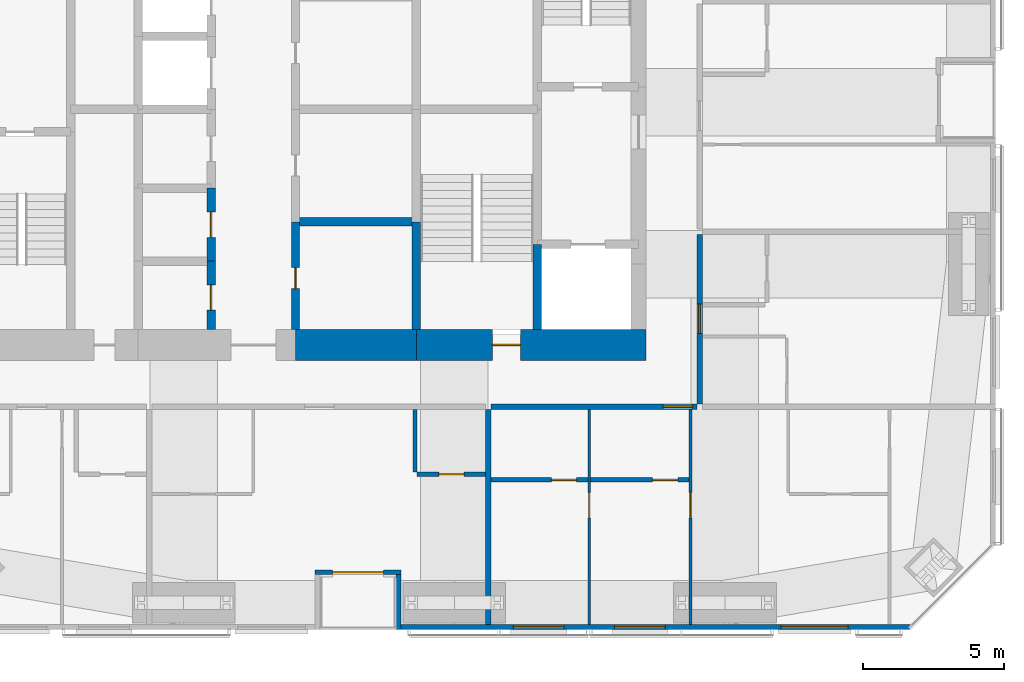
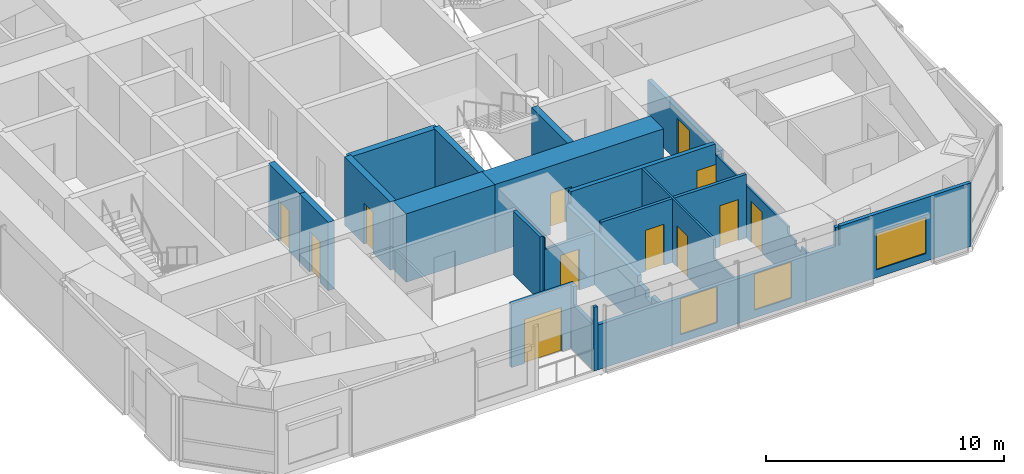
# One storey, part 14 of 19: 20 walls, 12 doors, 3 windows, 15 openings.
"""IFC4 building model written with IfcOpenShell, lengths in metres."""

from ifc_helpers import new_model, si_unit, direction, frame, frame_2d, origin, place, context, subcontext, project, spatial, polyline, rectangle, outline, extrude, material, layer, layer_set, constituent, constituent_set, type_object, element, fill, save


model = new_model("IFC4")

# Units and contexts
model_context = context("Model", 3, precision=1e-05, world=origin(), true_north=direction((0.0, 1.0)))
body_context = subcontext(model_context, "Body", "Model", "MODEL_VIEW")
ifc_project = project(units=[si_unit("LENGTHUNIT", "METRE"), si_unit("AREAUNIT", "SQUARE_METRE"), si_unit("VOLUMEUNIT", "CUBIC_METRE"), si_unit("PLANEANGLEUNIT", "RADIAN"), si_unit("MASSUNIT", "GRAM", prefix="KILO")], contexts=[model_context])

# Site, building, storey
site_placement = place(None, origin())
site = spatial("IfcSite", under=ifc_project, at=site_placement, CompositionType="ELEMENT")
building_placement = place(site_placement, origin())
building = spatial("IfcBuilding", under=site, at=building_placement, Name="Jalousie Tower", CompositionType="ELEMENT")
storey_placement = place(building_placement, frame((0.0, 0.0, 217.949951171875)))
storey = spatial("IfcBuildingStorey", under=building, at=storey_placement, Name="L59", CompositionType="ELEMENT", Elevation=217.949951171875)

# Wall, opening, door
ifc_material_1 = material(Name="Concrete block ASTM C90", Category="concrete")
ifc_constituent_1 = constituent(ifc_material_1, Name="Body")
ifc_material_2 = material(Name="Render")
ifc_constituent_2 = constituent(ifc_material_2, Name="Finish")
ifc_constituent_set_1 = constituent_set(constituents=[ifc_constituent_1, ifc_constituent_2])
wall_type_1 = type_object("IfcWallType", Name="BATHROOM WALL 150", PredefinedType="PLUMBINGWALL", material=ifc_constituent_set_1)
wall_1_placement = place(storey_placement, frame((35.925048828125, 5.52490234375, 0.0), z_axis=(0.0, 0.0, 1.0), x_axis=(1.0, 0.0, 0.0)))
wall_1 = element("IfcWall", 1, at=wall_1_placement, inside=storey, type_object=wall_type_1, Name="Bathroom Wall 150 L59", PredefinedType="PLUMBINGWALL", context=body_context, shape_type="SweptSolid", body=[
    extrude(outline(polyline([(0.0, 0.0), (2.425048828125, 0.0), (2.425048828125, 3.260009765625), (2.425048828125, 2.66015625), (0.0400390625, 2.66015625), (0.0400390625, 3.260009765625), (0.0, 3.260009765625), (0.0, 0.0)])), frame((0.0, 0.074951171875, 0.0), z_axis=(0.0, -1.0, 0.0), x_axis=(1.0, 0.0, 0.0)), (0.0, 0.0, 1.0), 0.14990234375),
])
opening_1_placement = place(wall_1_placement, frame((0.77490234375, 0.0, 0.0)))
opening_1 = element("IfcOpeningElement", 2, at=opening_1_placement, cuts=wall_1, Name="Opening D3", PredefinedType="OPENING", context=body_context, shape_type="SweptSolid", body=[
    extrude(rectangle(XDim=0.89990234375, YDim=2.10009765625, at=frame_2d((0.449951171875, 1.050048828125))), frame((0.0, 0.0849609375, 0.0), z_axis=(0.0, -1.0, 0.0), x_axis=(1.0, 0.0, 0.0)), (0.0, 0.0, 1.0), 0.169921875),
])
ifc_material_3 = material(Name="Timber door", Category="wood")
door_type_1 = type_object("IfcDoorType", Name="BATHROOM DOOR 900", OperationType="SINGLE_SWING_LEFT", PredefinedType="DOOR", material=ifc_material_3)
door_1_placement = place(opening_1_placement, origin())
door_1 = element("IfcDoor", 3, at=door_1_placement, inside=storey, type_object=door_type_1, Name="Apartment 5902 bathroom door", OperationType="SINGLE_SWING_RIGHT", OverallHeight=2.10009765625, OverallWidth=0.89990234375, PredefinedType="DOOR", context=body_context, shape_type="SweptSolid", body=[
    extrude(rectangle(XDim=0.89990234375, YDim=2.10009765625, at=frame_2d((0.449951171875, 1.050048828125))), frame((0.0, 0.02490234375, 0.0), z_axis=(0.0, -1.0, 0.0), x_axis=(1.0, 0.0, 0.0)), (0.0, 0.0, 1.0), 0.050048828125),
])
fill(opening_1, door_1)

# Wall
wall_2_placement = place(storey_placement, frame((35.85009765625, 5.60009765625, 0.0), z_axis=(0.0, 0.0, 1.0), x_axis=(0.0, 1.0, 0.0)))
element("IfcWall", 4, at=wall_2_placement, inside=storey, type_object=wall_type_1, Name="Bathroom Wall 150 L59", PredefinedType="PLUMBINGWALL", context=body_context, shape_type="SweptSolid", body=[
    extrude(rectangle(XDim=2.224853515625, YDim=0.14990234375, at=frame_2d((1.1123046875, 0.0))), origin(), (0.0, 0.0, 1.0), 3.260009765625),
])

# Wall, opening, door
wall_3_placement = place(storey_placement, frame((38.550048828125, 5.324951171875, 0.0), z_axis=(0.0, 0.0, 1.0), x_axis=(1.0, 0.0, 0.0)))
wall_3 = element("IfcWall", 5, at=wall_3_placement, inside=storey, type_object=wall_type_1, Name="Bathroom Wall 150 L59", PredefinedType="PLUMBINGWALL", context=body_context, shape_type="SweptSolid", body=[
    extrude(rectangle(XDim=3.449951171875, YDim=0.14990234375, at=frame_2d((1.72509765625, 0.0))), origin(), (0.0, 0.0, 1.0), 3.260009765625),
])
opening_2_placement = place(wall_3_placement, frame((2.14990234375, 0.0, 0.0)))
opening_2 = element("IfcOpeningElement", 6, at=opening_2_placement, cuts=wall_3, Name="Opening D3", PredefinedType="OPENING", context=body_context, shape_type="SweptSolid", body=[
    extrude(rectangle(XDim=0.89990234375, YDim=2.10009765625, at=frame_2d((0.449951171875, 1.050048828125))), frame((0.0, 0.0849609375, 0.0), z_axis=(0.0, -1.0, 0.0), x_axis=(1.0, 0.0, 0.0)), (0.0, 0.0, 1.0), 0.169921875),
])
door_2_placement = place(opening_2_placement, origin())
door_2 = element("IfcDoor", 7, at=door_2_placement, inside=storey, type_object=door_type_1, Name="Apartment 5903 bedroom 1 bathroom door", OperationType="SINGLE_SWING_RIGHT", OverallHeight=2.10009765625, OverallWidth=0.89990234375, PredefinedType="DOOR", context=body_context, shape_type="SweptSolid", body=[
    extrude(rectangle(XDim=0.89990234375, YDim=2.10009765625, at=frame_2d((0.449951171875, 1.050048828125))), frame((0.0, 0.02490234375, 0.0), z_axis=(0.0, -1.0, 0.0), x_axis=(1.0, 0.0, 0.0)), (0.0, 0.0, 1.0), 0.050048828125),
])
fill(opening_2, door_2)

wall_4_placement = place(storey_placement, frame((42.10009765625, 5.324951171875, 0.0), z_axis=(0.0, 0.0, 1.0), x_axis=(1.0, 0.0, 0.0)))
wall_4 = element("IfcWall", 8, at=wall_4_placement, inside=storey, type_object=wall_type_1, Name="Bathroom Wall 150 L59", PredefinedType="PLUMBINGWALL", context=body_context, shape_type="SweptSolid", body=[
    extrude(outline(polyline([(0.0, 0.0), (3.5, 0.0), (3.5, 3.260009765625), (3.5, 2.66015625), (3.489990234375, 2.66015625), (3.489990234375, 3.260009765625), (0.0, 3.260009765625), (0.0, 0.0)])), frame((0.0, 0.074951171875, 0.0), z_axis=(0.0, -1.0, 0.0), x_axis=(1.0, 0.0, 0.0)), (0.0, 0.0, 1.0), 0.14990234375),
])
opening_3_placement = place(wall_4_placement, frame((2.199951171875, 0.0, 0.0)))
opening_3 = element("IfcOpeningElement", 9, at=opening_3_placement, cuts=wall_4, Name="Opening D3", PredefinedType="OPENING", context=body_context, shape_type="SweptSolid", body=[
    extrude(rectangle(XDim=0.89990234375, YDim=2.10009765625, at=frame_2d((0.449951171875, 1.050048828125))), frame((0.0, 0.0849609375, 0.0), z_axis=(0.0, -1.0, 0.0), x_axis=(1.0, 0.0, 0.0)), (0.0, 0.0, 1.0), 0.169921875),
])
door_3_placement = place(opening_3_placement, origin())
door_3 = element("IfcDoor", 10, at=door_3_placement, inside=storey, type_object=door_type_1, Name="Apartment 5903 bedroom 2 bathroom door", OperationType="SINGLE_SWING_RIGHT", OverallHeight=2.10009765625, OverallWidth=0.89990234375, PredefinedType="DOOR", context=body_context, shape_type="SweptSolid", body=[
    extrude(rectangle(XDim=0.89990234375, YDim=2.10009765625, at=frame_2d((0.449951171875, 1.050048828125))), frame((0.0, 0.02490234375, 0.0), z_axis=(0.0, -1.0, 0.0), x_axis=(1.0, 0.0, 0.0)), (0.0, 0.0, 1.0), 0.050048828125),
])
fill(opening_3, door_3)

# Wall
ifc_material_4 = material(Name="Concrete f'c 120 MPa", Category="concrete")
ifc_layer_1 = layer(ifc_material_4, 1.10009765625)
ifc_layer_set_1 = layer_set([ifc_layer_1], Name="Concrete f'c 120 MPa")
wall_type_2 = type_object("IfcWallType", Name="CORE WALL 1100", PredefinedType="SHEAR", material=ifc_layer_set_1)
wall_5_placement = place(storey_placement, frame((31.60009765625, 10.125, 0.0), z_axis=(0.0, 0.0, 1.0), x_axis=(1.0, 0.0, 0.0)))
element("IfcWall", 11, at=wall_5_placement, inside=storey, type_object=wall_type_2, Name="Core wall SC L59", PredefinedType="SHEAR", context=body_context, shape_type="SweptSolid", body=[
    extrude(rectangle(XDim=4.2998046875, YDim=1.10009765625, at=frame_2d((2.14990234375, 0.0))), origin(), (0.0, 0.0, 1.0), 3.5),
])

# Wall, opening, door
wall_6_placement = place(storey_placement, frame((35.89990234375, 10.125, 0.0), z_axis=(0.0, 0.0, 1.0), x_axis=(1.0, 0.0, 0.0)))
wall_6 = element("IfcWall", 12, at=wall_6_placement, inside=storey, type_object=wall_type_2, Name="Core wall SD L59", PredefinedType="SHEAR", context=body_context, shape_type="SweptSolid", body=[
    extrude(rectangle(XDim=8.175048828125, YDim=1.10009765625, at=frame_2d((4.08740234375, 0.0))), origin(), (0.0, 0.0, 1.0), 3.5),
])
opening_4_placement = place(wall_6_placement, frame((2.699951171875, 0.0, 0.0)))
opening_4 = element("IfcOpeningElement", 13, at=opening_4_placement, cuts=wall_6, Name="Opening D10", PredefinedType="OPENING", context=body_context, shape_type="SweptSolid", body=[
    extrude(rectangle(XDim=1.0, YDim=2.10009765625, at=frame_2d((0.5, 1.050048828125))), frame((0.0, 0.56005859375, 0.0), z_axis=(0.0, -1.0, 0.0), x_axis=(1.0, 0.0, 0.0)), (0.0, 0.0, 1.0), 1.1201171875),
])
ifc_material_5 = material(Name="Steel fire door", Category="steel")
door_type_2 = type_object("IfcDoorType", Name="STAIR DOOR 1000", OperationType="SINGLE_SWING_LEFT", PredefinedType="DOOR", material=ifc_material_5)
door_4_placement = place(opening_4_placement, origin())
door_4 = element("IfcDoor", 14, at=door_4_placement, inside=storey, type_object=door_type_2, Name="Exit stair C door", OperationType="SINGLE_SWING_RIGHT", OverallHeight=2.10009765625, OverallWidth=1.0, PredefinedType="DOOR", context=body_context, shape_type="SweptSolid", body=[
    extrude(rectangle(XDim=1.0, YDim=2.10009765625, at=frame_2d((0.5, 1.050048828125))), frame((0.0, 0.02490234375, 0.0), z_axis=(0.0, -1.0, 0.0), x_axis=(1.0, 0.0, 0.0)), (0.0, 0.0, 1.0), 0.050048828125),
])
fill(opening_4, door_4)

ifc_material_6 = material(Name="Concrete f'c 120 MPa", Category="concrete")
ifc_layer_2 = layer(ifc_material_6, 0.300048828125)
ifc_layer_set_2 = layer_set([ifc_layer_2], Name="Concrete f'c 120 MPa")
wall_type_3 = type_object("IfcWallType", Name="CORE WALL 300", PredefinedType="SHEAR", material=ifc_layer_set_2)
wall_7_placement = place(storey_placement, frame((28.60009765625, 10.675048828125, 0.0), z_axis=(0.0, 0.0, 1.0), x_axis=(0.0, 1.0, 0.0)))
wall_7 = element("IfcWall", 15, at=wall_7_placement, inside=storey, type_object=wall_type_3, Name="Core wall X28.6A L59", PredefinedType="SHEAR", context=body_context, shape_type="SweptSolid", body=[
    extrude(rectangle(XDim=2.425048828125, YDim=0.300048828125, at=frame_2d((1.21240234375, 0.0))), origin(), (0.0, 0.0, 1.0), 3.5),
])
opening_5_placement = place(wall_7_placement, frame((0.6875, 0.0, 0.0)))
opening_5 = element("IfcOpeningElement", 16, at=opening_5_placement, cuts=wall_7, Name="Opening D24", PredefinedType="OPENING", context=body_context, shape_type="SweptSolid", body=[
    extrude(rectangle(XDim=0.89990234375, YDim=2.10009765625, at=frame_2d((0.449951171875, 1.050048828125))), frame((0.0, 0.159912109375, 0.0), z_axis=(0.0, -1.0, 0.0), x_axis=(1.0, 0.0, 0.0)), (0.0, 0.0, 1.0), 0.320068359375),
])
ifc_material_7 = material(Name="Steel fire door", Category="steel")
door_type_3 = type_object("IfcDoorType", Name="CORE ROOM DOOR 900", OperationType="SINGLE_SWING_LEFT", PredefinedType="DOOR", material=ifc_material_7)
door_5_placement = place(opening_5_placement, origin())
door_5 = element("IfcDoor", 17, at=door_5_placement, inside=storey, type_object=door_type_3, Name="Staff WC door", OperationType="SINGLE_SWING_RIGHT", OverallHeight=2.10009765625, OverallWidth=0.89990234375, PredefinedType="DOOR", context=body_context, shape_type="SweptSolid", body=[
    extrude(rectangle(XDim=0.89990234375, YDim=2.10009765625, at=frame_2d((0.449951171875, 1.050048828125))), frame((0.0, 0.02490234375, 0.0), z_axis=(0.0, -1.0, 0.0), x_axis=(1.0, 0.0, 0.0)), (0.0, 0.0, 1.0), 0.050048828125),
])
fill(opening_5, door_5)

wall_8_placement = place(storey_placement, frame((28.60009765625, 13.10009765625, 0.0), z_axis=(0.0, 0.0, 1.0), x_axis=(0.0, 1.0, 0.0)))
wall_8 = element("IfcWall", 18, at=wall_8_placement, inside=storey, type_object=wall_type_3, Name="Core wall X28.6B L59", PredefinedType="SHEAR", context=body_context, shape_type="SweptSolid", body=[
    extrude(rectangle(XDim=2.599853515625, YDim=0.300048828125, at=frame_2d((1.2998046875, 0.0))), origin(), (0.0, 0.0, 1.0), 3.5),
])
opening_6_placement = place(wall_8_placement, frame((0.85009765625, 0.0, 0.0)))
opening_6 = element("IfcOpeningElement", 19, at=opening_6_placement, cuts=wall_8, Name="Opening D24", PredefinedType="OPENING", context=body_context, shape_type="SweptSolid", body=[
    extrude(rectangle(XDim=0.89990234375, YDim=2.10009765625, at=frame_2d((0.449951171875, 1.050048828125))), frame((0.0, 0.159912109375, 0.0), z_axis=(0.0, -1.0, 0.0), x_axis=(1.0, 0.0, 0.0)), (0.0, 0.0, 1.0), 0.320068359375),
])
door_6_placement = place(opening_6_placement, origin())
door_6 = element("IfcDoor", 20, at=door_6_placement, inside=storey, type_object=door_type_3, Name="IT room door", OperationType="SINGLE_SWING_RIGHT", OverallHeight=2.10009765625, OverallWidth=0.89990234375, PredefinedType="DOOR", context=body_context, shape_type="SweptSolid", body=[
    extrude(rectangle(XDim=0.89990234375, YDim=2.10009765625, at=frame_2d((0.449951171875, 1.050048828125))), frame((0.0, 0.02490234375, 0.0), z_axis=(0.0, -1.0, 0.0), x_axis=(1.0, 0.0, 0.0)), (0.0, 0.0, 1.0), 0.050048828125),
])
fill(opening_6, door_6)

wall_9_placement = place(storey_placement, frame((31.60009765625, 10.675048828125, 0.0), z_axis=(0.0, 0.0, 1.0), x_axis=(0.0, 1.0, 0.0)))
wall_9 = element("IfcWall", 21, at=wall_9_placement, inside=storey, type_object=wall_type_3, Name="Core wall X31.6A L59", PredefinedType="SHEAR", context=body_context, shape_type="SweptSolid", body=[
    extrude(rectangle(XDim=3.824951171875, YDim=0.300048828125, at=frame_2d((1.91259765625, 0.0))), origin(), (0.0, 0.0, 1.0), 3.5),
])
opening_7_placement = place(wall_9_placement, frame((1.449951171875, 0.0, 0.0)))
opening_7 = element("IfcOpeningElement", 22, at=opening_7_placement, cuts=wall_9, Name="Opening D16", PredefinedType="OPENING", context=body_context, shape_type="SweptSolid", body=[
    extrude(rectangle(XDim=0.75, YDim=2.10009765625, at=frame_2d((0.375, 1.050048828125))), frame((0.0, 0.159912109375, 0.0), z_axis=(0.0, -1.0, 0.0), x_axis=(1.0, 0.0, 0.0)), (0.0, 0.0, 1.0), 0.320068359375),
])
ifc_material_8 = material(Name="Steel fire door", Category="steel")
door_type_4 = type_object("IfcDoorType", Name="RISER DOOR 750", OperationType="SINGLE_SWING_LEFT", PredefinedType="DOOR", material=ifc_material_8)
door_7_placement = place(opening_7_placement, frame((0.75, 0.0, 0.0), z_axis=(0.0, 0.0, 1.0), x_axis=(-1.0, 0.0, 0.0)))
door_7 = element("IfcDoor", 23, at=door_7_placement, inside=storey, type_object=door_type_4, Name="Refuse Room door", OperationType="SINGLE_SWING_RIGHT", OverallHeight=2.10009765625, OverallWidth=0.75, PredefinedType="DOOR", context=body_context, shape_type="SweptSolid", body=[
    extrude(rectangle(XDim=0.75, YDim=2.10009765625, at=frame_2d((0.375, 1.050048828125))), frame((0.0, 0.02490234375, 0.0), z_axis=(0.0, -1.0, 0.0), x_axis=(1.0, 0.0, 0.0)), (0.0, 0.0, 1.0), 0.050048828125),
])
fill(opening_7, door_7)

# Walls
wall_10_placement = place(storey_placement, frame((35.89990234375, 10.675048828125, 0.0), z_axis=(0.0, 0.0, 1.0), x_axis=(0.0, 1.0, 0.0)))
element("IfcWall", 24, at=wall_10_placement, inside=storey, type_object=wall_type_3, Name="Core wall X35.9A L59", PredefinedType="SHEAR", context=body_context, shape_type="SweptSolid", body=[
    extrude(rectangle(XDim=3.824951171875, YDim=0.300048828125, at=frame_2d((1.91259765625, 0.0))), origin(), (0.0, 0.0, 1.0), 3.5),
])
wall_11_placement = place(storey_placement, frame((40.199951171875, 10.675048828125, 0.0), z_axis=(0.0, 0.0, 1.0), x_axis=(0.0, 1.0, 0.0)))
element("IfcWall", 25, at=wall_11_placement, inside=storey, type_object=wall_type_3, Name="Core wall X40.2A L59", PredefinedType="SHEAR", context=body_context, shape_type="SweptSolid", body=[
    extrude(rectangle(XDim=3.02490234375, YDim=0.300048828125, at=frame_2d((1.512451171875, 0.0))), origin(), (0.0, 0.0, 1.0), 3.5),
])
wall_12_placement = place(storey_placement, frame((31.60009765625, 14.5, 0.0), z_axis=(0.0, 0.0, 1.0), x_axis=(1.0, 0.0, 0.0)))
element("IfcWall", 26, at=wall_12_placement, inside=storey, type_object=wall_type_3, Name="Core wall Y31.6-14.5 L59", PredefinedType="SHEAR", context=body_context, shape_type="SweptSolid", body=[
    extrude(rectangle(XDim=4.2998046875, YDim=0.300048828125, at=frame_2d((2.14990234375, 0.0))), origin(), (0.0, 0.0, 1.0), 3.5),
])

# Wall, opening, door
ifc_material_9 = material(Name="Concrete block ASTM C90", Category="concrete")
ifc_constituent_3 = constituent(ifc_material_9, Name="Body")
ifc_material_10 = material(Name="Render")
ifc_constituent_4 = constituent(ifc_material_10, Name="Finish")
ifc_constituent_set_2 = constituent_set(constituents=[ifc_constituent_3, ifc_constituent_4])
wall_type_4 = type_object("IfcWallType", Name="CORRIDOR WALL 200", PredefinedType="PARTITIONING", material=ifc_constituent_set_2)
wall_13_placement = place(storey_placement, frame((38.550048828125, 7.925048828125, 0.0), z_axis=(0.0, 0.0, 1.0), x_axis=(1.0, 0.0, 0.0)))
wall_13 = element("IfcWall", 27, at=wall_13_placement, inside=storey, type_object=wall_type_4, Name="Corridor Wall 200 L59", PredefinedType="PARTITIONING", context=body_context, shape_type="SweptSolid", body=[
    extrude(outline(polyline([(0.0, 0.0), (7.324951171875, 0.0), (7.324951171875, 3.260009765625), (7.324951171875, 2.66015625), (7.014892578125, 2.66015625), (7.014892578125, 3.260009765625), (0.010009765625, 3.260009765625), (0.010009765625, 2.66015625), (0.0, 2.66015625), (0.0, 3.260009765625), (0.0, 0.0)])), frame((0.0, 0.10009765625, 0.0), z_axis=(0.0, -1.0, 0.0), x_axis=(1.0, 0.0, 0.0)), (0.0, 0.0, 1.0), 0.199951171875),
])
opening_8_placement = place(wall_13_placement, frame((6.125, 0.0, 0.0)))
opening_8 = element("IfcOpeningElement", 28, at=opening_8_placement, cuts=wall_13, Name="Opening D1", PredefinedType="OPENING", context=body_context, shape_type="SweptSolid", body=[
    extrude(rectangle(XDim=1.050048828125, YDim=2.199951171875, at=frame_2d((0.52490234375, 1.10009765625))), frame((0.0, 0.10986328125, 0.0), z_axis=(0.0, -1.0, 0.0), x_axis=(1.0, 0.0, 0.0)), (0.0, 0.0, 1.0), 0.219970703125),
])
ifc_material_11 = material(Name="Timber fire door", Category="wood")
door_type_5 = type_object("IfcDoorType", Name="APARTMENT ENTRANCE DOOR 1050", OperationType="SINGLE_SWING_LEFT", PredefinedType="DOOR", material=ifc_material_11)
door_8_placement = place(opening_8_placement, frame((1.050048828125, 0.0, 0.0), z_axis=(0.0, 0.0, 1.0), x_axis=(-1.0, 0.0, 0.0)))
door_8 = element("IfcDoor", 29, at=door_8_placement, inside=storey, type_object=door_type_5, Name="Apartment 5903 entrance", OperationType="SINGLE_SWING_RIGHT", OverallHeight=2.199951171875, OverallWidth=1.050048828125, PredefinedType="DOOR", context=body_context, shape_type="SweptSolid", body=[
    extrude(rectangle(XDim=1.050048828125, YDim=2.199951171875, at=frame_2d((0.52490234375, 1.10009765625))), frame((0.0, 0.02490234375, 0.0), z_axis=(0.0, -1.0, 0.0), x_axis=(1.0, 0.0, 0.0)), (0.0, 0.0, 1.0), 0.050048828125),
])
fill(opening_8, door_8)

wall_14_placement = place(storey_placement, frame((45.97509765625, 8.02490234375, 0.0), z_axis=(0.0, 0.0, 1.0), x_axis=(0.0, 1.0, 0.0)))
wall_14 = element("IfcWall", 30, at=wall_14_placement, inside=storey, type_object=wall_type_4, Name="Corridor Wall 200 L59", PredefinedType="PARTITIONING", context=body_context, shape_type="SweptSolid", body=[
    extrude(outline(polyline([(0.0, 0.0), (6.025146484375, 0.0), (6.02490234375, 3.260009765625), (6.02490234375, 2.66015625), (5.0849609375, 2.66015625), (0.0, 2.66015625), (0.0, 3.260009765625), (0.0, 0.0)])), frame((0.0, 0.10009765625, 0.0), z_axis=(0.0, -1.0, 0.0), x_axis=(1.0, 0.0, 0.0)), (0.0, 0.0, 1.0), 0.199951171875),
])
opening_9_placement = place(wall_14_placement, frame((2.512451171875, 0.0, 0.0)))
opening_9 = element("IfcOpeningElement", 31, at=opening_9_placement, cuts=wall_14, Name="Opening D1", PredefinedType="OPENING", context=body_context, shape_type="SweptSolid", body=[
    extrude(rectangle(XDim=1.050048828125, YDim=2.199951171875, at=frame_2d((0.52490234375, 1.10009765625))), frame((0.0, 0.10986328125, 0.0), z_axis=(0.0, -1.0, 0.0), x_axis=(1.0, 0.0, 0.0)), (0.0, 0.0, 1.0), 0.219970703125),
])
door_9_placement = place(opening_9_placement, frame((1.050048828125, 0.0, 0.0), z_axis=(0.0, 0.0, 1.0), x_axis=(-1.0, 0.0, 0.0)))
door_9 = element("IfcDoor", 32, at=door_9_placement, inside=storey, type_object=door_type_5, Name="Apartment 5906 entrance", OperationType="SINGLE_SWING_RIGHT", OverallHeight=2.199951171875, OverallWidth=1.050048828125, PredefinedType="DOOR", context=body_context, shape_type="SweptSolid", body=[
    extrude(rectangle(XDim=1.050048828125, YDim=2.199951171875, at=frame_2d((0.52490234375, 1.10009765625))), frame((0.0, 0.02490234375, 0.0), z_axis=(0.0, -1.0, 0.0), x_axis=(1.0, 0.0, 0.0)), (0.0, 0.0, 1.0), 0.050048828125),
])
fill(opening_9, door_9)

# Wall, openings, windows
ifc_material_12 = material(Name="Concrete f'c 40 MPa", Category="concrete")
ifc_constituent_5 = constituent(ifc_material_12, Name="Body")
ifc_material_13 = material(Name="Render, pastel sky blue")
ifc_constituent_6 = constituent(ifc_material_13, Name="Finish")
ifc_constituent_set_3 = constituent_set(constituents=[ifc_constituent_5, ifc_constituent_6])
wall_type_5 = type_object("IfcWallType", Name="EXTERNAL WALL 175 SKY BLUE RENDER", PredefinedType="SOLIDWALL", material=ifc_constituent_set_3)
wall_15_placement = place(storey_placement, frame((35.35009765625, 0.08740234375, 0.0), z_axis=(0.0, 0.0, 1.0), x_axis=(1.0, 0.0, 0.0)))
wall_15 = element("IfcWall", 33, at=wall_15_placement, inside=storey, type_object=wall_type_5, Name="External Wall 175 Sky Blue Render L59", PredefinedType="SOLIDWALL", context=body_context, shape_type="SweptSolid", body=[
    extrude(outline(polyline([(0.0, 0.0), (18.0986328125, 0.0), (18.0986328125, 3.260009765625), (11.73974609375, 3.260009765625), (11.73974609375, 2.300048828125), (11.65625, 2.300048828125), (11.65625, 3.260009765625), (11.52490234375, 3.260009765625), (11.52490234375, 2.300048828125), (0.0, 2.300048828125), (0.0, 0.0)])), frame((0.0, 0.08740234375, 0.0), z_axis=(0.0, -1.0, 0.0), x_axis=(1.0, 0.0, 0.0)), (0.0, 0.0, 1.0), 0.175048828125),
])
opening_10_placement = place(wall_15_placement, frame((4.0, 0.0, 0.39990234375)))
opening_10 = element("IfcOpeningElement", 34, at=opening_10_placement, cuts=wall_15, Name="Opening W-BED185", PredefinedType="OPENING", context=body_context, shape_type="SweptSolid", body=[
    extrude(rectangle(XDim=1.800048828125, YDim=1.85009765625, at=frame_2d((0.89990234375, 0.925048828125))), frame((0.0, 0.097412109375, 0.0), z_axis=(0.0, -1.0, 0.0), x_axis=(1.0, 0.0, 0.0)), (0.0, 0.0, 1.0), 0.195068359375),
])
opening_11_placement = place(wall_15_placement, frame((7.60009765625, 0.0, 0.39990234375)))
opening_11 = element("IfcOpeningElement", 35, at=opening_11_placement, cuts=wall_15, Name="Opening W-BED185", PredefinedType="OPENING", context=body_context, shape_type="SweptSolid", body=[
    extrude(rectangle(XDim=1.800048828125, YDim=1.85009765625, at=frame_2d((0.89990234375, 0.925048828125))), frame((0.0, 0.097412109375, 0.0), z_axis=(0.0, -1.0, 0.0), x_axis=(1.0, 0.0, 0.0)), (0.0, 0.0, 1.0), 0.195068359375),
])
opening_12_placement = place(wall_15_placement, frame((13.509521484375, 0.0, 0.39990234375)))
opening_12 = element("IfcOpeningElement", 36, at=opening_12_placement, cuts=wall_15, Name="Opening W-LIV185", PredefinedType="OPENING", context=body_context, shape_type="SweptSolid", body=[
    extrude(rectangle(XDim=2.39990234375, YDim=1.85009765625, at=frame_2d((1.199951171875, 0.925048828125))), frame((0.0, 0.097412109375, 0.0), z_axis=(0.0, -1.0, 0.0), x_axis=(1.0, 0.0, 0.0)), (0.0, 0.0, 1.0), 0.195068359375),
])
ifc_material_14 = material(Name="Aluminium frame, impact-rated glazing", Category="aluminium")
window_type_1 = type_object("IfcWindowType", Name="WINDOW BED 1800x1850", PartitioningType="SINGLE_PANEL", PredefinedType="WINDOW", material=ifc_material_14)
window_1_placement = place(opening_10_placement, origin())
window_1 = element("IfcWindow", 37, at=window_1_placement, inside=storey, type_object=window_type_1, Name="Apartment 5903 bedroom 1 window", OverallHeight=1.85009765625, OverallWidth=1.800048828125, PartitioningType="SINGLE_PANEL", PredefinedType="WINDOW", context=body_context, shape_type="SweptSolid", body=[
    extrude(rectangle(XDim=1.800048828125, YDim=1.85009765625, at=frame_2d((0.89990234375, 0.925048828125))), frame((0.0, 0.030029296875, 0.0), z_axis=(0.0, -1.0, 0.0), x_axis=(1.0, 0.0, 0.0)), (0.0, 0.0, 1.0), 0.06005859375),
])
fill(opening_10, window_1)
window_2_placement = place(opening_11_placement, origin())
window_2 = element("IfcWindow", 38, at=window_2_placement, inside=storey, type_object=window_type_1, Name="Apartment 5903 bedroom 2 window", OverallHeight=1.85009765625, OverallWidth=1.800048828125, PartitioningType="SINGLE_PANEL", PredefinedType="WINDOW", context=body_context, shape_type="SweptSolid", body=[
    extrude(rectangle(XDim=1.800048828125, YDim=1.85009765625, at=frame_2d((0.89990234375, 0.925048828125))), frame((0.0, 0.030029296875, 0.0), z_axis=(0.0, -1.0, 0.0), x_axis=(1.0, 0.0, 0.0)), (0.0, 0.0, 1.0), 0.06005859375),
])
fill(opening_11, window_2)
ifc_material_15 = material(Name="Aluminium frame, impact-rated glazing", Category="aluminium")
window_type_2 = type_object("IfcWindowType", Name="WINDOW LIV 2400x1850", PartitioningType="DOUBLE_PANEL_VERTICAL", PredefinedType="WINDOW", material=ifc_material_15)
window_3_placement = place(opening_12_placement, origin())
window_3 = element("IfcWindow", 39, at=window_3_placement, inside=storey, type_object=window_type_2, Name="Apartment 5903 living and dining room window", OverallHeight=1.85009765625, OverallWidth=2.39990234375, PartitioningType="SINGLE_PANEL", PredefinedType="WINDOW", context=body_context, shape_type="SweptSolid", body=[
    extrude(rectangle(XDim=2.39990234375, YDim=1.85009765625, at=frame_2d((1.199951171875, 0.925048828125))), frame((0.0, 0.030029296875, 0.0), z_axis=(0.0, -1.0, 0.0), x_axis=(1.0, 0.0, 0.0)), (0.0, 0.0, 1.0), 0.06005859375),
])
fill(opening_12, window_3)

# Wall, opening, door
wall_16_placement = place(storey_placement, frame((32.300048828125, 2.03759765625, 0.0), z_axis=(0.0, 0.0, 1.0), x_axis=(1.0, 0.0, 0.0)))
wall_16 = element("IfcWall", 40, at=wall_16_placement, inside=storey, type_object=wall_type_5, Name="External Wall 175 Sky Blue Render L59", PredefinedType="SOLIDWALL", context=body_context, shape_type="SweptSolid", body=[
    extrude(rectangle(XDim=3.050048828125, YDim=0.175048828125, at=frame_2d((1.52490234375, 0.0))), origin(), (0.0, 0.0, 1.0), 3.260009765625),
])
opening_13_placement = place(wall_16_placement, frame((0.625, 0.0, 0.0)))
opening_13 = element("IfcOpeningElement", 41, at=opening_13_placement, cuts=wall_16, Name="Opening D-BAL22", PredefinedType="OPENING", context=body_context, shape_type="SweptSolid", body=[
    extrude(rectangle(XDim=1.800048828125, YDim=2.25, at=frame_2d((0.89990234375, 1.125))), frame((0.0, 0.097412109375, 0.0), z_axis=(0.0, -1.0, 0.0), x_axis=(1.0, 0.0, 0.0)), (0.0, 0.0, 1.0), 0.195068359375),
])
ifc_material_16 = material(Name="Aluminium frame, impact-rated glazing", Category="aluminium")
door_type_6 = type_object("IfcDoorType", Name="BALCONY DOOR 1800x2250", OperationType="SLIDING_TO_LEFT", PredefinedType="DOOR", material=ifc_material_16)
door_10_placement = place(opening_13_placement, origin())
door_10 = element("IfcDoor", 42, at=door_10_placement, inside=storey, type_object=door_type_6, Name="Apartment 5902 studio living and sleeping room loggia door", OperationType="SLIDING_TO_LEFT", OverallHeight=2.25, OverallWidth=1.800048828125, PredefinedType="DOOR", context=body_context, shape_type="SweptSolid", body=[
    extrude(rectangle(XDim=1.800048828125, YDim=2.25, at=frame_2d((0.89990234375, 1.125))), frame((0.0, 0.02490234375, 0.0), z_axis=(0.0, -1.0, 0.0), x_axis=(1.0, 0.0, 0.0)), (0.0, 0.0, 1.0), 0.050048828125),
])
fill(opening_13, door_10)

# Wall
wall_17_placement = place(storey_placement, frame((35.262451171875, 0.0, 0.0), z_axis=(0.0, 0.0, 1.0), x_axis=(0.0, 1.0, 0.0)))
element("IfcWall", 43, at=wall_17_placement, inside=storey, type_object=wall_type_5, Name="External Wall 175 Sky Blue Render L59", PredefinedType="SOLIDWALL", context=body_context, shape_type="SweptSolid", body=[
    extrude(outline(polyline([(0.0, 0.0), (1.949951171875, 0.0), (1.949951171875, 3.260009765625), (1.75, 3.260009765625), (1.75, 2.300048828125), (0.14990234375, 2.300048828125), (0.14990234375, 3.260009765625), (0.0, 3.260009765625), (0.0, 0.0)])), frame((0.0, 0.08740234375, 0.0), z_axis=(0.0, -1.0, 0.0), x_axis=(1.0, 0.0, 0.0)), (0.0, 0.0, 1.0), 0.175048828125),
])

# Wall, opening, door
ifc_material_17 = material(Name="Gypsum board", Category="gypsum")
ifc_constituent_7 = constituent(ifc_material_17, Name="Body")
ifc_material_18 = material(Name="Light-gauge steel studs ASTM A653 SS Grade 33", Category="steel")
ifc_constituent_8 = constituent(ifc_material_18, Name="Framing")
ifc_constituent_set_4 = constituent_set(constituents=[ifc_constituent_7, ifc_constituent_8])
wall_type_6 = type_object("IfcWallType", Name="PARTITION 100", PredefinedType="PARTITIONING", material=ifc_constituent_set_4)
wall_18_placement = place(storey_placement, frame((42.050048828125, 0.175048828125, 0.0), z_axis=(0.0, 0.0, 1.0), x_axis=(0.0, 1.0, 0.0)))
wall_18 = element("IfcWall", 44, at=wall_18_placement, inside=storey, type_object=wall_type_6, Name="Partition 100 L59", PredefinedType="PARTITIONING", context=body_context, shape_type="SweptSolid", body=[
    extrude(outline(polyline([(0.0, 0.0), (7.64990234375, 0.0), (7.64990234375, 3.260009765625), (1.635009765625, 3.260009765625), (1.635009765625, 2.300048828125), (0.0, 2.300048828125), (0.0, 3.260009765625), (0.0, 0.0)])), frame((0.0, 0.050048828125, 0.0), z_axis=(0.0, -1.0, 0.0), x_axis=(1.0, 0.0, 0.0)), (0.0, 0.0, 1.0), 0.10009765625),
])
opening_14_placement = place(wall_18_placement, frame((3.800048828125, 0.0, 0.0)))
opening_14 = element("IfcOpeningElement", 45, at=opening_14_placement, cuts=wall_18, Name="Opening D2", PredefinedType="OPENING", context=body_context, shape_type="SweptSolid", body=[
    extrude(rectangle(XDim=0.89990234375, YDim=2.10009765625, at=frame_2d((0.449951171875, 1.050048828125))), frame((0.0, 0.06005859375, 0.0), z_axis=(0.0, -1.0, 0.0), x_axis=(1.0, 0.0, 0.0)), (0.0, 0.0, 1.0), 0.1201171875),
])
ifc_material_19 = material(Name="Timber door", Category="wood")
door_type_7 = type_object("IfcDoorType", Name="BEDROOM DOOR 900", OperationType="SINGLE_SWING_LEFT", PredefinedType="DOOR", material=ifc_material_19)
door_11_placement = place(opening_14_placement, frame((0.89990234375, 0.0, 0.0), z_axis=(0.0, 0.0, 1.0), x_axis=(-1.0, 0.0, 0.0)))
door_11 = element("IfcDoor", 46, at=door_11_placement, inside=storey, type_object=door_type_7, Name="Apartment 5903 bedroom 1 door", OperationType="SINGLE_SWING_LEFT", OverallHeight=2.10009765625, OverallWidth=0.89990234375, PredefinedType="DOOR", context=body_context, shape_type="SweptSolid", body=[
    extrude(rectangle(XDim=0.89990234375, YDim=2.10009765625, at=frame_2d((0.449951171875, 1.050048828125))), frame((0.0, 0.02490234375, 0.0), z_axis=(0.0, -1.0, 0.0), x_axis=(1.0, 0.0, 0.0)), (0.0, 0.0, 1.0), 0.050048828125),
])
fill(opening_14, door_11)

wall_19_placement = place(storey_placement, frame((45.64990234375, 0.175048828125, 0.0), z_axis=(0.0, 0.0, 1.0), x_axis=(0.0, 1.0, 0.0)))
wall_19 = element("IfcWall", 47, at=wall_19_placement, inside=storey, type_object=wall_type_6, Name="Partition 100 L59", PredefinedType="PARTITIONING", context=body_context, shape_type="SweptSolid", body=[
    extrude(outline(polyline([(0.52880859375, 2.300048828125), (0.0, 2.300048828125), (0.0, 0.0), (0.52880859375, 0.0), (0.52880859375, 0.13037109375), (1.021240234375, 0.13037109375), (1.021240234375, 0.0), (7.64990234375, 0.0), (7.64990234375, 2.66015625), (1.635009765625, 2.66015625), (1.635009765625, 2.300048828125), (1.021240234375, 2.300048828125), (1.021240234375, 2.01953125), (0.52880859375, 2.01953125), (0.52880859375, 2.300048828125)])), frame((0.0, 0.050048828125, 0.0), z_axis=(0.0, -1.0, 0.0), x_axis=(1.0, 0.0, 0.0)), (0.0, 0.0, 1.0), 0.10009765625),
])
opening_15_placement = place(wall_19_placement, frame((3.800048828125, 0.0, 0.0)))
opening_15 = element("IfcOpeningElement", 48, at=opening_15_placement, cuts=wall_19, Name="Opening D2", PredefinedType="OPENING", context=body_context, shape_type="SweptSolid", body=[
    extrude(rectangle(XDim=0.89990234375, YDim=2.10009765625, at=frame_2d((0.449951171875, 1.050048828125))), frame((0.0, 0.06005859375, 0.0), z_axis=(0.0, -1.0, 0.0), x_axis=(1.0, 0.0, 0.0)), (0.0, 0.0, 1.0), 0.1201171875),
])
door_12_placement = place(opening_15_placement, origin())
door_12 = element("IfcDoor", 49, at=door_12_placement, inside=storey, type_object=door_type_7, Name="Apartment 5903 bedroom 2 door", OperationType="SINGLE_SWING_RIGHT", OverallHeight=2.10009765625, OverallWidth=0.89990234375, PredefinedType="DOOR", context=body_context, shape_type="SweptSolid", body=[
    extrude(rectangle(XDim=0.89990234375, YDim=2.10009765625, at=frame_2d((0.449951171875, 1.050048828125))), frame((0.0, 0.02490234375, 0.0), z_axis=(0.0, -1.0, 0.0), x_axis=(1.0, 0.0, 0.0)), (0.0, 0.0, 1.0), 0.050048828125),
])
fill(opening_15, door_12)

# Wall
ifc_material_20 = material(Name="Concrete block ASTM C90", Category="concrete")
ifc_constituent_9 = constituent(ifc_material_20, Name="Body")
ifc_material_21 = material(Name="Render")
ifc_constituent_10 = constituent(ifc_material_21, Name="Finish")
ifc_constituent_set_5 = constituent_set(constituents=[ifc_constituent_9, ifc_constituent_10])
wall_type_7 = type_object("IfcWallType", Name="PARTY WALL 200", PredefinedType="PARTITIONING", material=ifc_constituent_set_5)
wall_20_placement = place(storey_placement, frame((38.449951171875, 0.175048828125, 0.0), z_axis=(0.0, 0.0, 1.0), x_axis=(0.0, 1.0, 0.0)))
element("IfcWall", 50, at=wall_20_placement, inside=storey, type_object=wall_type_7, Name="Party Wall 200 L59", PredefinedType="PARTITIONING", context=body_context, shape_type="SweptSolid", body=[
    extrude(outline(polyline([(0.52880859375, 2.300048828125), (0.0, 2.300048828125), (0.0, 0.0), (0.52880859375, 0.0), (0.52880859375, 0.22021484375), (1.021240234375, 0.22021484375), (1.021240234375, 0.0), (7.64990234375, 0.0), (7.64990234375, 2.66015625), (1.68505859375, 2.66015625), (1.68505859375, 2.300048828125), (1.021240234375, 2.300048828125), (1.021240234375, 1.929931640625), (0.52880859375, 1.929931640625), (0.52880859375, 2.300048828125)])), frame((0.0, 0.10009765625, 0.0), z_axis=(0.0, -1.0, 0.0), x_axis=(1.0, 0.0, 0.0)), (0.0, 0.0, 1.0), 0.199951171875),
])

save(model, "model.ifc")
